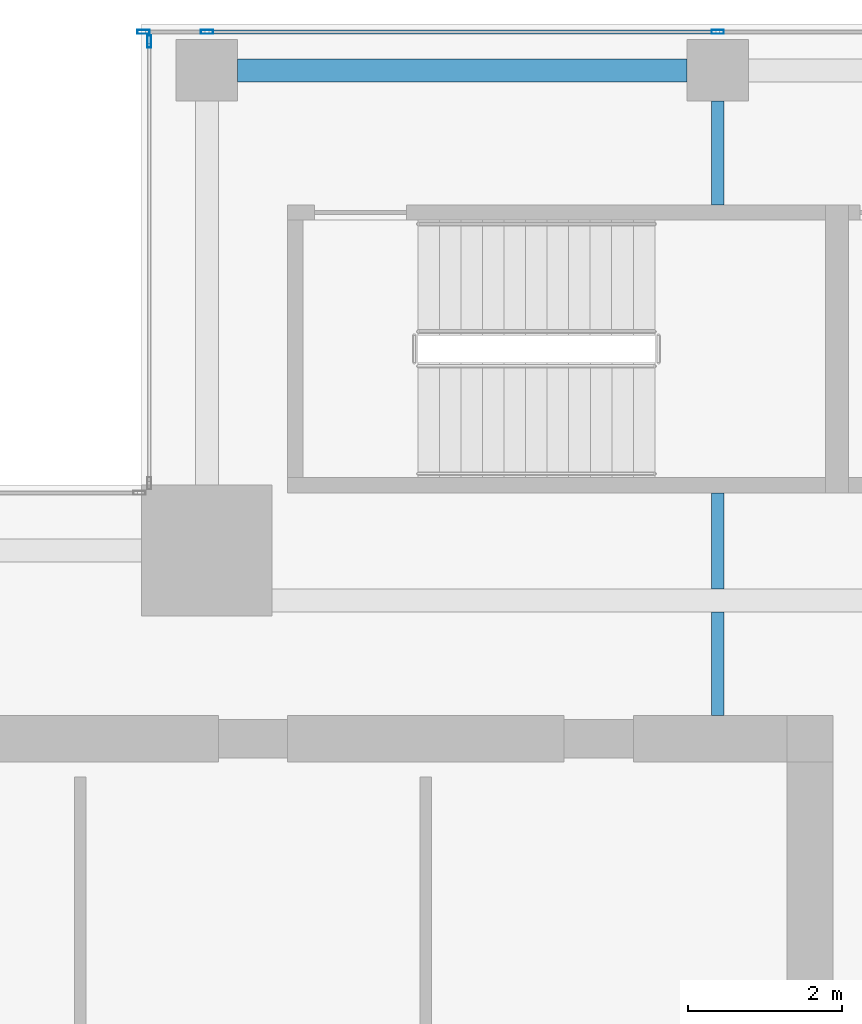
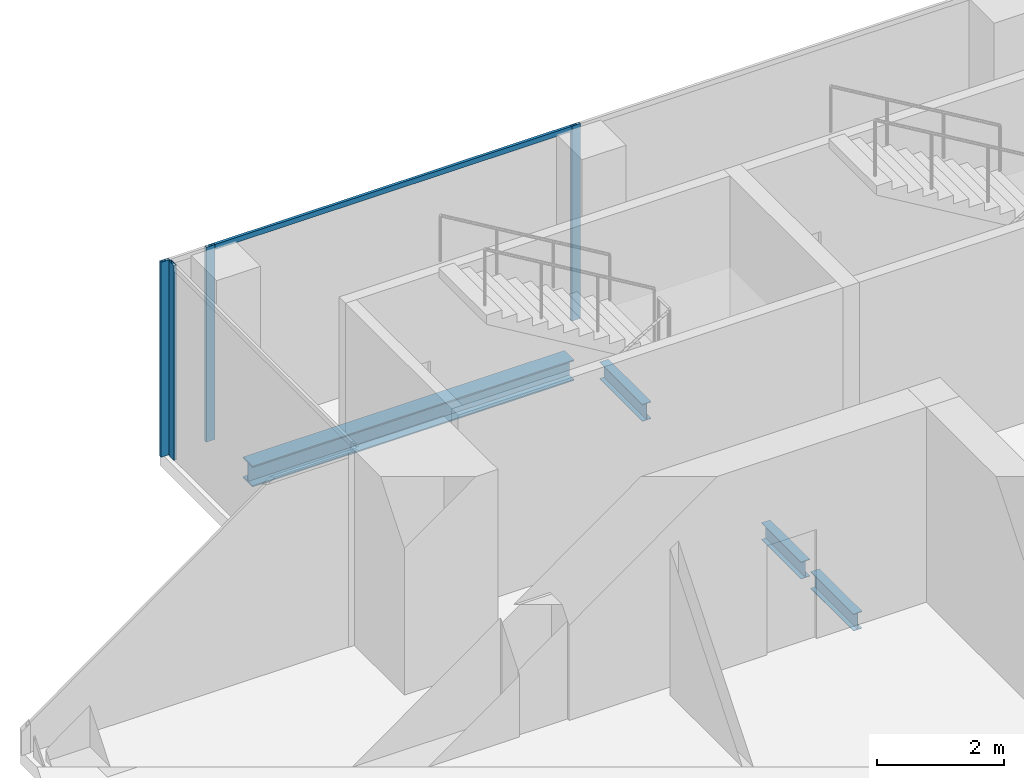
# One storey, part 14 of 29: 5 members, 4 beams, 2 elements without a shape of their own.
"""IFC4 building model written with IfcOpenShell, lengths in metres."""

from ifc_helpers import new_model, si_unit, direction, frame, origin, origin_2d, place, context, subcontext, project, spatial, hollow_rectangle, i_section, extrude, source, transform, mapped, material, material_profile, profile_set, type_object, element, aggregate, save


model = new_model("IFC4")

# Units and contexts
model_context = context("Model", 3, precision=1e-05, world=origin(), true_north=direction((0.0, 1.0)))
body_context = subcontext(model_context, "Body", "Model", "MODEL_VIEW")
ifc_project = project(units=[si_unit("LENGTHUNIT", "METRE"), si_unit("AREAUNIT", "SQUARE_METRE"), si_unit("VOLUMEUNIT", "CUBIC_METRE"), si_unit("PLANEANGLEUNIT", "RADIAN"), si_unit("MASSUNIT", "GRAM", prefix="KILO")], contexts=[model_context])

# Site, building, storey
site_placement = place(None, origin())
site = spatial("IfcSite", under=ifc_project, at=site_placement, CompositionType="ELEMENT")
building_placement = place(site_placement, origin())
building = spatial("IfcBuilding", under=site, at=building_placement, Name="Khomas Fold Tower", CompositionType="ELEMENT")
storey_placement = place(building_placement, frame((0.0, 0.0, 290.199951171875)))
storey = spatial("IfcBuildingStorey", under=building, at=storey_placement, Name="L65", CompositionType="ELEMENT", Elevation=290.199951171875)

# Beams
ifc_material_1 = material(Name="Steel S355", Category="steel")
ifc_material_profile_1 = material_profile(ifc_material_1, i_section(OverallWidth=0.159912109375, OverallDepth=0.330078125, WebThickness=0.007568359375, FlangeThickness=0.011474609375, at=origin_2d()), Name="IPE 330")
ifc_profile_set_1 = profile_set([ifc_material_profile_1], Name="Steel S355")
beam_type_1 = type_object("IfcBeamType", Name="IPE 330 beam JB1", PredefinedType="BEAM", material=ifc_profile_set_1)
shared_shape_1 = source(origin(), body_context, "Body", "SweptSolid", [
    extrude(i_section(OverallWidth=0.159912109375, OverallDepth=0.330078125, WebThickness=0.007568359375, FlangeThickness=0.011474609375, at=origin_2d()), origin(), (0.0, 0.0, 1.0), 1.25),
])
beam_1_placement = place(storey_placement, frame((19.5, 40.64990234375, -0.4150390625), z_axis=(0.0, 1.0, 0.0), x_axis=(-1.0, 0.0, 0.0)))
element("IfcBeam", 1, at=beam_1_placement, inside=storey, type_object=beam_type_1, Name="JB1", PredefinedType="BEAM", context=body_context, shape_type="MappedRepresentation", body=[
    mapped(shared_shape_1, transform((0.0, 0.0, 0.0))),
])
shared_shape_2 = source(origin(), body_context, "Body", "SweptSolid", [
    extrude(i_section(OverallWidth=0.159912109375, OverallDepth=0.330078125, WebThickness=0.007568359375, FlangeThickness=0.011474609375, at=origin_2d()), origin(), (0.0, 0.0, 1.0), 1.35009765625),
])
for number, where, z_axis, x_axis, name in (
    (2, (19.5, 39.0, -0.4150390625), (0.0, 1.0, 0.0), (-1.0, 0.0, 0.0), "JB1"),
    (3, (19.5, 45.64990234375, -0.4150390625), (0.0, 1.0, 0.0), (-1.0, 0.0, 0.0), "JB1"),
):
    element("IfcBeam", number, at=place(storey_placement, frame(where, z_axis=z_axis, x_axis=x_axis)), inside=storey, type_object=beam_type_1, Name=name, PredefinedType="BEAM", context=body_context, shape_type="MappedRepresentation", body=[
        mapped(shared_shape_2, transform((0.0, 0.0, 0.0))),
    ])
ifc_material_2 = material(Name="Steel S355", Category="steel")
ifc_material_profile_2 = material_profile(ifc_material_2, i_section(OverallWidth=0.300048828125, OverallDepth=0.39990234375, WebThickness=0.013427734375, FlangeThickness=0.02392578125, at=origin_2d()), Name="HE 400 B")
ifc_profile_set_2 = profile_set([ifc_material_profile_2], Name="Steel S355")
beam_type_2 = type_object("IfcBeamType", Name="HE 400 B spandrel SB5", PredefinedType="SPANDREL", material=ifc_profile_set_2)
shared_shape_3 = source(origin(), body_context, "Body", "SweptSolid", [
    extrude(i_section(OverallWidth=0.300048828125, OverallDepth=0.39990234375, WebThickness=0.013427734375, FlangeThickness=0.02392578125, at=origin_2d()), origin(), (0.0, 0.0, 1.0), 5.85009765625),
])
beam_2_placement = place(storey_placement, frame((13.25, 47.39990234375, -0.449951171875), z_axis=(1.0, 0.0, 0.0), x_axis=(0.0, 1.0, 0.0)))
element("IfcBeam", 4, at=beam_2_placement, inside=storey, type_object=beam_type_2, Name="SB5", PredefinedType="SPANDREL", context=body_context, shape_type="MappedRepresentation", body=[
    mapped(shared_shape_3, transform((0.0, 0.0, 0.0))),
])

# Curtain wall, members
ifc_material_3 = material(Name="Aluminium framed double glazing", Category="aluminium")
curtain_wall_type = type_object("IfcCurtainWallType", Name="SK-Unitised clear-glass wall, upper floors CW3", PredefinedType="NOTDEFINED", material=ifc_material_3)
curtain_wall_1_placement = place(storey_placement, origin())
curtain_wall_1 = element("IfcCurtainWall", 5, at=curtain_wall_1_placement, inside=storey, type_object=curtain_wall_type, Name="CW3 run L65 06-1", PredefinedType="NOTDEFINED")
ifc_material_4 = material(Name="Aluminium", Category="aluminium")
ifc_material_profile_3 = material_profile(ifc_material_4, hollow_rectangle(XDim=0.050048828125, YDim=0.159912109375, WallThickness=0.00390625, at=origin_2d()), Name="SK-Unitised clear-glass wall, upper floors mullion CW3-M")
ifc_profile_set_3 = profile_set([ifc_material_profile_3], Name="Aluminium")
member_type_1 = type_object("IfcMemberType", Name="SK-Unitised clear-glass wall, upper floors mullion CW3-M", PredefinedType="MULLION", material=ifc_profile_set_3)
shared_shape_4 = source(origin(), body_context, "Body", "SweptSolid", [
    extrude(hollow_rectangle(XDim=0.050048828125, YDim=0.159912109375, WallThickness=0.00390625, at=origin_2d()), origin(), (0.0, 0.0, 1.0), 3.75),
])
member_1_placement = place(storey_placement, frame((19.5, 47.89990234375, 0.0), z_axis=(0.0, 0.0, 1.0), x_axis=(0.0, -1.0, 0.0)))
member_1 = element("IfcMember", 6, at=member_1_placement, type_object=member_type_1, Name="CW3 mullion 4", PredefinedType="MULLION", context=body_context, shape_type="MappedRepresentation", body=[
    mapped(shared_shape_4, transform((0.0, 0.0, 0.0))),
])
member_2_placement = place(storey_placement, frame((12.85009765625, 47.89990234375, 0.0), z_axis=(0.0, 0.0, 1.0), x_axis=(0.0, -1.0, 0.0)))
member_2 = element("IfcMember", 7, at=member_2_placement, type_object=member_type_1, Name="CW3 mullion 5", PredefinedType="MULLION", context=body_context, shape_type="MappedRepresentation", body=[
    mapped(shared_shape_4, transform((0.0, 0.0, 0.0))),
])
member_3_placement = place(storey_placement, frame((12.02490234375, 47.89990234375, 0.0), z_axis=(0.0, 0.0, 1.0), x_axis=(0.0, -1.0, 0.0)))
member_3 = element("IfcMember", 8, at=member_3_placement, type_object=member_type_1, Name="CW3 mullion 6", PredefinedType="MULLION", context=body_context, shape_type="MappedRepresentation", body=[
    mapped(shared_shape_4, transform((0.0, 0.0, 0.0))),
])

# Curtain wall, member
curtain_wall_2_placement = place(storey_placement, origin())
curtain_wall_2 = element("IfcCurtainWall", 9, at=curtain_wall_2_placement, inside=storey, type_object=curtain_wall_type, Name="CW3 corner return L65 07", PredefinedType="NOTDEFINED")
member_4_placement = place(storey_placement, frame((12.10009765625, 47.77490234375, 0.0), z_axis=(0.0, 0.0, 1.0), x_axis=(1.0, 0.0, 0.0)))
member_4 = element("IfcMember", 10, at=member_4_placement, type_object=member_type_1, Name="CW3 mullion 1", PredefinedType="MULLION", context=body_context, shape_type="MappedRepresentation", body=[
    mapped(shared_shape_4, transform((0.0, 0.0, 0.0))),
])
aggregate(curtain_wall_2, [member_4])

# Member
ifc_material_5 = material(Name="Aluminium", Category="aluminium")
ifc_material_profile_4 = material_profile(ifc_material_5, hollow_rectangle(XDim=0.050048828125, YDim=0.10009765625, WallThickness=0.00390625, at=origin_2d()), Name="SK-Unitised clear-glass wall, upper floors transom CW3-T")
ifc_profile_set_4 = profile_set([ifc_material_profile_4], Name="Aluminium")
member_type_2 = type_object("IfcMemberType", Name="SK-Unitised clear-glass wall, upper floors transom CW3-T", PredefinedType="USERDEFINED", material=ifc_profile_set_4)
shared_shape_5 = source(origin(), body_context, "Body", "SweptSolid", [
    extrude(hollow_rectangle(XDim=0.050048828125, YDim=0.10009765625, WallThickness=0.00390625, at=origin_2d()), origin(), (0.0, 0.0, 1.0), 6.60009765625),
])
member_5_placement = place(storey_placement, frame((19.47509765625, 47.89990234375, 3.699951171875), z_axis=(-1.0, 0.0, 0.0), x_axis=(0.0, -1.0, 0.0)))
member_5 = element("IfcMember", 11, at=member_5_placement, type_object=member_type_2, Name="CW3 transom 4", ObjectType="TRANSOM", PredefinedType="USERDEFINED", context=body_context, shape_type="MappedRepresentation", body=[
    mapped(shared_shape_5, transform((0.0, 0.0, 0.0))),
])

aggregate(curtain_wall_1, [member_1, member_2, member_3, member_5])

save(model, "model.ifc")
